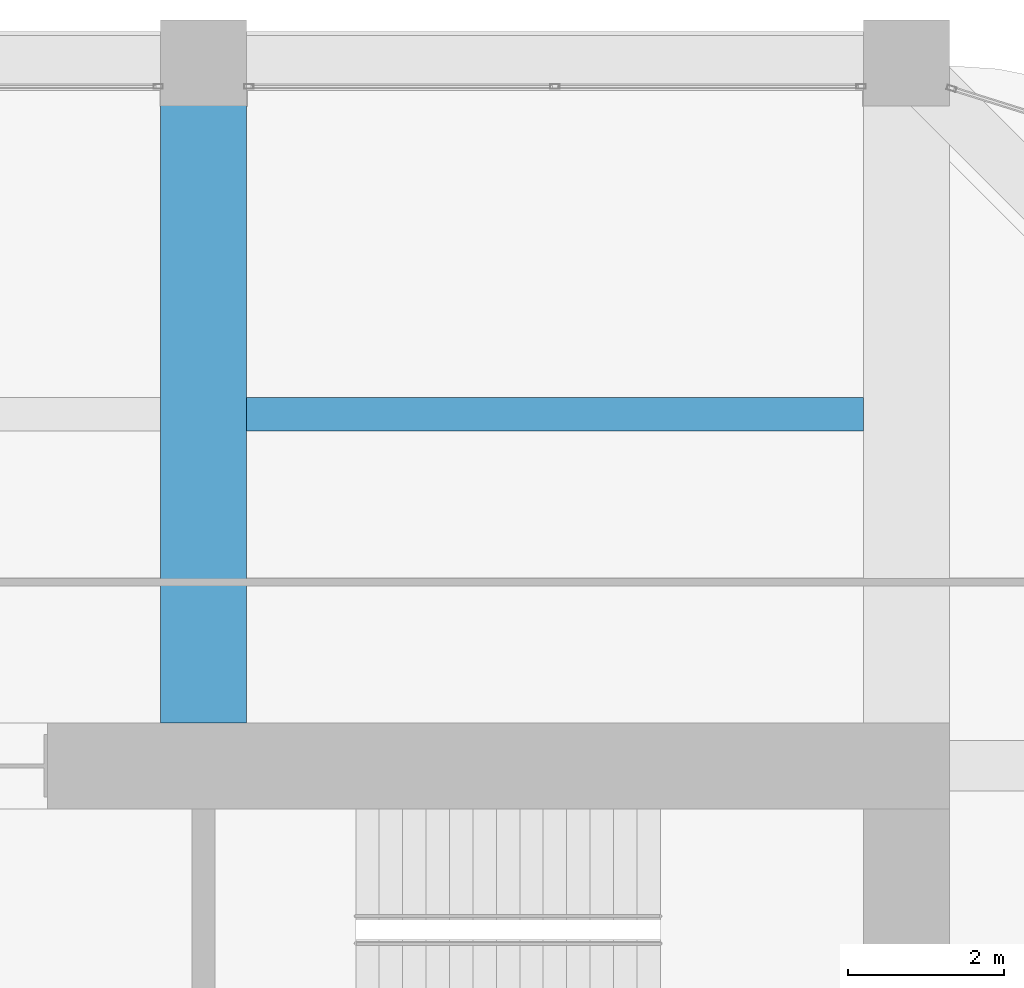
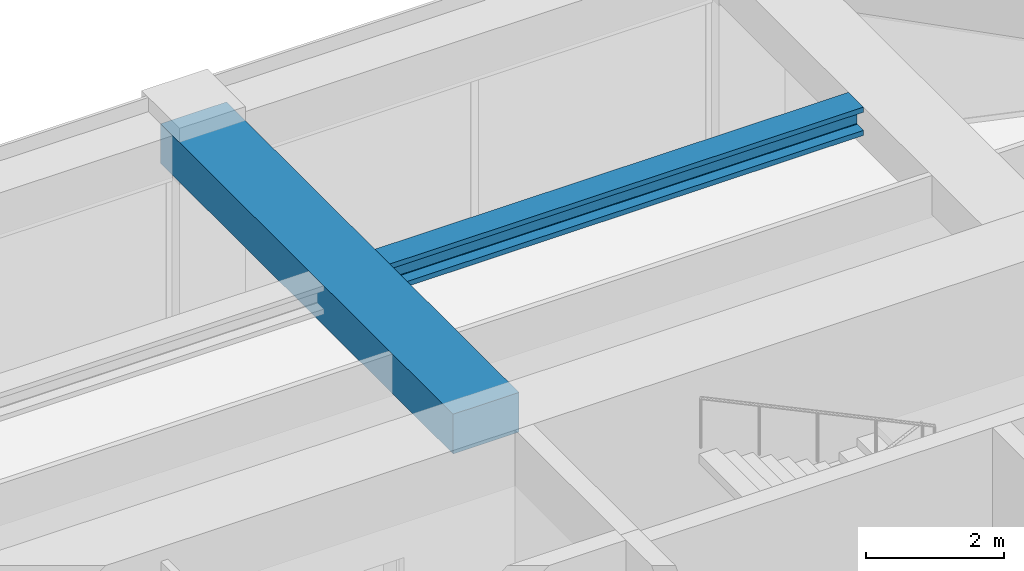
# One storey, part 34 of 44: 2 beams.
"""IFC4 building model written with IfcOpenShell, lengths in metres."""

from ifc_helpers import new_model, si_unit, direction, frame, origin, origin_2d, place, context, subcontext, project, spatial, rectangle, i_section, extrude, material, material_profile, profile_set, type_object, element, save


model = new_model("IFC4")

# Units and contexts
model_context = context("Model", 3, precision=1e-05, world=origin(), true_north=direction((0.0, 1.0)))
body_context = subcontext(model_context, "Body", "Model", "MODEL_VIEW")
ifc_project = project(units=[si_unit("LENGTHUNIT", "METRE"), si_unit("AREAUNIT", "SQUARE_METRE"), si_unit("VOLUMEUNIT", "CUBIC_METRE"), si_unit("PLANEANGLEUNIT", "RADIAN"), si_unit("MASSUNIT", "GRAM", prefix="KILO")], contexts=[model_context])

# Site, building, storey
site_placement = place(None, origin())
site = spatial("IfcSite", under=ifc_project, at=site_placement, CompositionType="ELEMENT")
building_placement = place(site_placement, origin())
building = spatial("IfcBuilding", under=site, at=building_placement, Name="Zorevar Civic Tower", CompositionType="ELEMENT")
storey_placement = place(building_placement, frame((0.0, 0.0, 259.39990234375)))
storey = spatial("IfcBuildingStorey", under=building, at=storey_placement, Name="L63", CompositionType="ELEMENT", Elevation=259.39990234375)

# Beams
ifc_material_1 = material(Name="Concrete C50/60", Category="concrete")
ifc_material_profile_1 = material_profile(ifc_material_1, rectangle(XDim=1.10009765625, YDim=0.699951171875, at=origin_2d()), Name="RC 1100x700")
ifc_profile_set_1 = profile_set([ifc_material_profile_1], Name="Concrete C50/60")
beam_type_1 = type_object("IfcBeamType", Name="Beam RC 1100x700", PredefinedType="BEAM", material=ifc_profile_set_1)
beam_1_placement = place(storey_placement, frame((36.0, 36.550048828125, 3.400146484375), z_axis=(0.0, 1.0, 0.0), x_axis=(-1.0, 0.0, 0.0)))
element("IfcBeam", 1, at=beam_1_placement, inside=storey, type_object=beam_type_1, Name="Girder L64", PredefinedType="BEAM", context=body_context, shape_type="SweptSolid", body=[
    extrude(rectangle(XDim=1.10009765625, YDim=0.699951171875, at=origin_2d()), origin(), (0.0, 0.0, 1.0), 8.449951171875),
])
ifc_material_2 = material(Name="Steel S460M (HISTAR 460)", Category="steel")
ifc_material_profile_2 = material_profile(ifc_material_2, i_section(OverallWidth=0.431884765625, OverallDepth=0.498046875, WebThickness=0.0556640625, FlangeThickness=0.0888671875, FilletRadius=0.014892578125, at=origin_2d()), Name="HD 400x744")
ifc_profile_set_2 = profile_set([ifc_material_profile_2], Name="Steel S460M (HISTAR 460)")
beam_type_2 = type_object("IfcBeamType", Name="Core bay beam HD 400x744", PredefinedType="BEAM", material=ifc_profile_set_2)
beam_2_placement = place(storey_placement, frame((36.550048828125, 40.5, 3.5009765625), z_axis=(1.0, 0.0, 0.0), x_axis=(0.0, 1.0, 0.0)))
element("IfcBeam", 2, at=beam_2_placement, inside=storey, type_object=beam_type_2, Name="Secondary beam L64", PredefinedType="BEAM", context=body_context, shape_type="SweptSolid", body=[
    extrude(i_section(OverallWidth=0.431884765625, OverallDepth=0.498046875, WebThickness=0.0556640625, FlangeThickness=0.0888671875, FilletRadius=0.014892578125, at=origin_2d()), origin(), (0.0, 0.0, 1.0), 7.89990234375),
])

save(model, "model.ifc")
